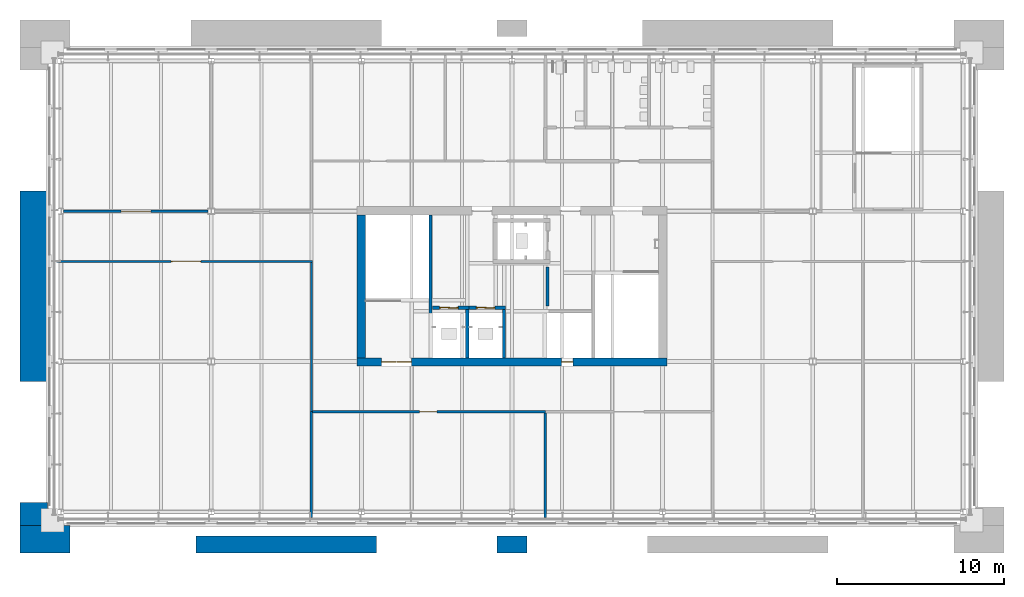
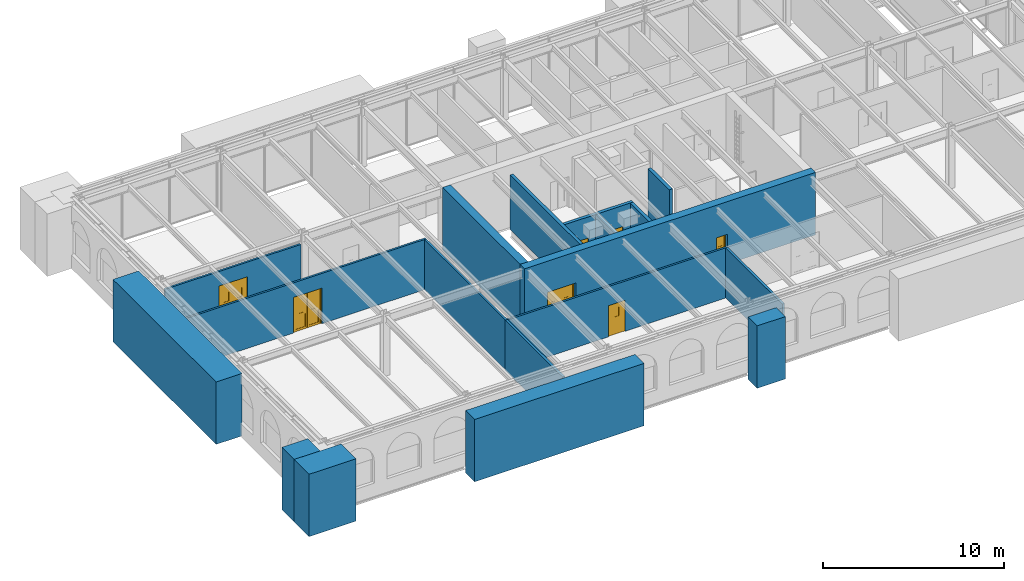
# One storey, part 12 of 24: 19 walls, 7 doors, 7 openings.
"""IFC4 building model written with IfcOpenShell, lengths in metres."""

import ifcopenshell
import ifcopenshell.guid

model = None  # the IFC model being written
_history = None  # IfcOwnerHistory: only IFC2X3 demands one
_inside = {}  # id of a spatial element -> (the spatial element, [elements in it])
_under = {}  # id of a project, library or spatial element -> (it, [spatial elements below it])
_declared = {}  # id of a project -> (the project, [libraries it declares])
_typed = {}  # id of a type object -> (the type object, [elements of that type])
_made_of = {}  # id of a material, layer set ... -> (it, [elements and type objects made of it])


def new_model(schema):
    """Start an empty IFC model of exactly this schema.

    Asked for "IFC4X3", IfcOpenShell would pick the latest addendum, in which some entities
    have other attributes; the version numbers below select the first issue.
    IFC2X3 requires an IfcOwnerHistory on every rooted entity: one is made here for all.
    """
    global model, _history
    if schema == "IFC4X3":
        model = ifcopenshell.file(schema_version=(4, 3, 0, 0))
    else:
        model = ifcopenshell.file(schema=schema)
    _inside.clear()
    _under.clear()
    _declared.clear()
    _typed.clear()
    _made_of.clear()
    _history = None
    if model.schema == "IFC2X3":
        org = make("IfcOrganization", Name="unknown")
        user = make(
            "IfcPersonAndOrganization",
            ThePerson=make("IfcPerson", FamilyName="unknown"),
            TheOrganization=org,
        )
        app = make(
            "IfcApplication",
            ApplicationDeveloper=org,
            Version="unknown",
            ApplicationFullName="unknown",
            ApplicationIdentifier="unknown",
        )
        _history = make(
            "IfcOwnerHistory",
            OwningUser=user,
            OwningApplication=app,
            ChangeAction="ADDED",
            CreationDate=0,
        )
    return model


def make(cls, **values):
    """One entity of the class cls with the attributes given. An attribute that is None is left unset."""
    return model.create_entity(
        cls, **{name: value for name, value in values.items() if value is not None}
    )


def rooted(cls, **values):
    """An entity with a GlobalId (a new one), such as an element, a storey or a relation."""
    return make(cls, GlobalId=ifcopenshell.guid.new(), OwnerHistory=_history, **values)


def si_unit(unit_type, name, prefix=None):
    """IfcSIUnit, for example si_unit("LENGTHUNIT", "METRE", prefix="MILLI")."""
    return make("IfcSIUnit", UnitType=unit_type, Prefix=prefix, Name=name)


def assignment(units):
    """IfcUnitAssignment: the units of a project."""
    return None if units is None else make("IfcUnitAssignment", Units=units)


def point(xyz):
    """IfcCartesianPoint."""
    return None if xyz is None else make("IfcCartesianPoint", Coordinates=xyz)


def direction(xyz):
    """IfcDirection."""
    return None if xyz is None else make("IfcDirection", DirectionRatios=xyz)


def frame(location, z_axis=None, x_axis=None):
    """IfcAxis2Placement3D, a coordinate frame: its origin and axes. An axis left out is left unset."""
    return make(
        "IfcAxis2Placement3D",
        Location=point(location),
        Axis=direction(z_axis),
        RefDirection=direction(x_axis),
    )


def frame_2d(location, x_axis=None):
    """IfcAxis2Placement2D, a coordinate frame in the plane: its origin and x axis."""
    return make(
        "IfcAxis2Placement2D", Location=point(location), RefDirection=direction(x_axis)
    )


def origin():
    """The frame at (0, 0, 0) with its axes left unset."""
    return frame((0.0, 0.0, 0.0))


def place(relative_to, where):
    """IfcLocalPlacement: puts the frame where relative to a parent placement (None: the world)."""
    return make(
        "IfcLocalPlacement", PlacementRelTo=relative_to, RelativePlacement=where
    )


def context(
    kind, dimensions, precision=None, world=None, true_north=None, identifier=None
):
    """IfcGeometricRepresentationContext, for example the 3D "Model" context."""
    return make(
        "IfcGeometricRepresentationContext",
        ContextIdentifier=identifier,
        ContextType=kind,
        CoordinateSpaceDimension=dimensions,
        Precision=precision,
        WorldCoordinateSystem=world,
        TrueNorth=true_north,
    )


def subcontext(parent, identifier, kind, view, scale=None):
    """IfcGeometricRepresentationSubContext, for example "Body" below "Model"."""
    return make(
        "IfcGeometricRepresentationSubContext",
        ContextIdentifier=identifier,
        ContextType=kind,
        ParentContext=parent,
        TargetScale=scale,
        TargetView=view,
    )


def project(units=None, contexts=None):
    """IfcProject with its units and contexts."""
    return rooted(
        "IfcProject",
        Name="project",
        RepresentationContexts=contexts,
        UnitsInContext=assignment(units),
    )


def spatial(cls, under=None, at=None, **own):
    """A site, building, storey or space (cls), placed at a placement, below another one or the project."""
    s = rooted(cls, ObjectPlacement=at, **own)
    if under is not None:
        _under.setdefault(under.id(), (under, []))[1].append(s)
    return s


def polyline(points):
    """IfcPolyline through the points."""
    return make("IfcPolyline", Points=[point(p) for p in points])


def profile(cls, at=None, kind="AREA", **sizes):
    """A parametric profile (cls). Its sizes go by their IFC names, for example OverallWidth=200.0."""
    return make(cls, ProfileType=kind, Position=at, **sizes)


def rectangle(**sizes):
    """IfcRectangleProfileDef."""
    return profile("IfcRectangleProfileDef", **sizes)


def outline(outer, holes=None, kind="AREA"):
    """IfcArbitraryClosedProfileDef: a profile drawn as a closed curve; with holes, ...WithVoids."""
    if holes is None:
        return make("IfcArbitraryClosedProfileDef", ProfileType=kind, OuterCurve=outer)
    return make(
        "IfcArbitraryProfileDefWithVoids",
        ProfileType=kind,
        OuterCurve=outer,
        InnerCurves=holes,
    )


def extrude(swept, where, along, depth):
    """IfcExtrudedAreaSolid: the profile swept, set in the frame where, extruded along a direction by depth."""
    return make(
        "IfcExtrudedAreaSolid",
        SweptArea=swept,
        Position=where,
        ExtrudedDirection=direction(along),
        Depth=depth,
    )


def shape(context_of_items, identifier, shape_type, items):
    """IfcShapeRepresentation: the items that make up one representation, for example the "Body"."""
    return make(
        "IfcShapeRepresentation",
        ContextOfItems=context_of_items,
        RepresentationIdentifier=identifier,
        RepresentationType=shape_type,
        Items=items,
    )


def material(Name=None, Category=None):
    """IfcMaterial."""
    return make("IfcMaterial", Name=Name, Category=Category)


def layer(
    of_material, thickness, ventilated=None, Name=None, Category=None, Priority=None
):
    """IfcMaterialLayer: one layer of a wall or slab, of a material (None: an air gap)."""
    return make(
        "IfcMaterialLayer",
        Material=of_material,
        LayerThickness=thickness,
        IsVentilated=ventilated,
        Name=Name,
        Category=Category,
        Priority=Priority,
    )


def layer_set(layers, Name=None):
    """IfcMaterialLayerSet."""
    return make("IfcMaterialLayerSet", MaterialLayers=layers, LayerSetName=Name)


def made_of(thing, what):
    """Note that an element or type object is made of a material, layer set ...; save() writes the relation."""
    if what is not None:
        _made_of.setdefault(what.id(), (what, []))[1].append(thing)
    return thing


def type_object(cls, material=None, **own):
    """A type object (cls), such as IfcWallType, which elements share."""
    return made_of(rooted(cls, **own), material)


def element(
    cls,
    number,
    at=None,
    inside=None,
    cuts=None,
    type_object=None,
    material=None,
    context=None,
    identifier="Body",
    shape_type=None,
    held_by="IfcProductDefinitionShape",
    body=None,
    shapes=None,
    **own,
):
    """One element of the class cls, such as IfcWall. Its Tag is "e" and its number.

    at: its placement. inside: the storey or other place that contains it. cuts: it is an
    opening in that element (IfcRelVoidsElement). A single representation is given by context,
    identifier, shape_type and body (its items); several are given by shapes. held_by: the class
    of the entity that holds the representations. save() writes the other relations.
    """
    e = rooted(cls, Tag="e%d" % number, ObjectPlacement=at, **own)
    if body is not None:
        shapes = [shape(context, identifier, shape_type, body)]
    if shapes is not None:
        e.Representation = make(held_by, Representations=shapes)
    if inside is not None:
        _inside.setdefault(inside.id(), (inside, []))[1].append(e)
    if cuts is not None:
        rooted(
            "IfcRelVoidsElement", RelatingBuildingElement=cuts, RelatedOpeningElement=e
        )
    if type_object is not None:
        _typed.setdefault(type_object.id(), (type_object, []))[1].append(e)
    return made_of(e, material)


def fill(opening, filler):
    """IfcRelFillsElement: the door or window that sits in an opening."""
    return rooted(
        "IfcRelFillsElement",
        RelatingOpeningElement=opening,
        RelatedBuildingElement=filler,
    )


def aggregate(whole, parts):
    """IfcRelAggregates: a whole, such as a stair, and the parts it consists of."""
    return rooted("IfcRelAggregates", RelatingObject=whole, RelatedObjects=parts)


def save(model, path):
    """Write the relations noted so far, then the file.

    IfcRelAggregates (storeys below a building ...), IfcRelContainedInSpatialStructure (elements
    in a storey), IfcRelDefinesByType, IfcRelAssociatesMaterial and IfcRelDeclares: one each for
    every whole, place, type object, material and project.
    """
    for whole, parts in _under.values():
        aggregate(whole, parts)
    for where, things in _inside.values():
        rooted(
            "IfcRelContainedInSpatialStructure",
            RelatedElements=things,
            RelatingStructure=where,
        )
    for kind, things in _typed.values():
        rooted("IfcRelDefinesByType", RelatedObjects=things, RelatingType=kind)
    for what, things in _made_of.values():
        rooted("IfcRelAssociatesMaterial", RelatedObjects=things, RelatingMaterial=what)
    for by, libraries in _declared.values():
        rooted("IfcRelDeclares", RelatingContext=by, RelatedDefinitions=libraries)
    model.write(path)


model = new_model("IFC4")

# Units and contexts
model_context = context("Model", 3, precision=1e-05, world=origin(), true_north=direction((0.0, 1.0)))
body_context = subcontext(model_context, "Body", "Model", "MODEL_VIEW")
ifc_project = project(units=[si_unit("LENGTHUNIT", "METRE"), si_unit("AREAUNIT", "SQUARE_METRE"), si_unit("VOLUMEUNIT", "CUBIC_METRE"), si_unit("PLANEANGLEUNIT", "RADIAN"), si_unit("MASSUNIT", "GRAM", prefix="KILO")], contexts=[model_context])

# Site, building, storey
site_placement = place(None, origin())
site = spatial("IfcSite", under=ifc_project, at=site_placement, CompositionType="ELEMENT")
building_placement = place(site_placement, origin())
building = spatial("IfcBuilding", under=site, at=building_placement, Name="Baradari Gate Terminus", CompositionType="ELEMENT")
storey_placement = place(building_placement, frame((0.0, 0.0, 32.699951171875)))
storey = spatial("IfcBuildingStorey", under=building, at=storey_placement, Name="L07", CompositionType="ELEMENT", Elevation=32.699951171875)

# Wall, opening, door
ifc_material_1 = material(Name="Gypsum board")
ifc_layer_1 = layer(ifc_material_1, 0.125)
ifc_layer_set_1 = layer_set([ifc_layer_1], Name="Gypsum board")
wall_type_1 = type_object("IfcWallType", Name="Corridor partition PT-5 125 EI 30", PredefinedType="PARTITIONING", material=ifc_layer_set_1)
wall_1_placement = place(storey_placement, frame((38.0, 123.0, 0.0), z_axis=(0.0, 0.0, 1.0), x_axis=(-1.0, 0.0, 0.0)))
wall_1 = element("IfcWall", 1, at=wall_1_placement, inside=storey, type_object=wall_type_1, Name="PT-5 partition Corridor / Staff Library", PredefinedType="PARTITIONING", context=body_context, shape_type="SweptSolid", body=[
    extrude(rectangle(XDim=13.925048828125, YDim=0.125, at=frame_2d((6.96240234375, 0.0))), origin(), (0.0, 0.0, 1.0), 3.382080078125),
])
opening_1_placement = place(wall_1_placement, frame((6.47509765625, 0.0, 0.0)))
opening_1 = element("IfcOpeningElement", 2, at=opening_1_placement, cuts=wall_1, Name="Opening D07-022", PredefinedType="OPENING", context=body_context, shape_type="SweptSolid", body=[
    extrude(rectangle(XDim=1.050048828125, YDim=2.10009765625, at=frame_2d((0.52490234375, 1.050048828125))), frame((0.0, 0.072509765625, 0.0), z_axis=(0.0, -1.0, 0.0), x_axis=(1.0, 0.0, 0.0)), (0.0, 0.0, 1.0), 0.14501953125),
])
ifc_material_2 = material(Name="Steel S275", Category="steel")
door_type_1 = type_object("IfcDoorType", Name="Fire door FI-1050-FD30S 1050x2100 FD30S", OperationType="SINGLE_SWING_LEFT", PredefinedType="DOOR", material=ifc_material_2)
door_1_placement = place(opening_1_placement, frame((1.050048828125, 0.0, 0.0), z_axis=(0.0, 0.0, 1.0), x_axis=(-1.0, 0.0, 0.0)))
door_1 = element("IfcDoor", 3, at=door_1_placement, inside=storey, type_object=door_type_1, Name="Door Staff Library", OperationType="SINGLE_SWING_LEFT", OverallHeight=2.1, OverallWidth=1.05, PredefinedType="DOOR", context=body_context, shape_type="SweptSolid", body=[
    extrude(outline(polyline([(0.0, 0.0), (0.070068359375, 0.0), (0.070068359375, 2.030029296875), (0.97998046875, 2.030029296875), (0.97998046875, 0.0), (1.050048828125, 0.0), (1.050048828125, 2.10009765625), (0.0, 2.10009765625), (0.0, 0.0)])), frame((0.0, 0.02490234375, 0.0), z_axis=(0.0, -1.0, 0.0), x_axis=(1.0, 0.0, 0.0)), (0.0, 0.0, 1.0), 0.050048828125),
    extrude(outline(polyline([(0.073974609375, 0.010009765625), (0.97607421875, 0.010009765625), (0.97607421875, 2.026123046875), (0.073974609375, 2.026123046875), (0.073974609375, 0.010009765625)]), holes=[polyline([(0.194091796875, 0.159912109375), (0.85595703125, 0.159912109375), (0.85595703125, 1.010009765625), (0.194091796875, 1.010009765625), (0.194091796875, 0.159912109375)]), polyline([(0.375, 1.159912109375), (0.675048828125, 1.159912109375), (0.675048828125, 1.760009765625), (0.375, 1.760009765625), (0.375, 1.159912109375)])]), frame((0.0, 0.017333984375, 0.0), z_axis=(0.0, -1.0, 0.0), x_axis=(1.0, 0.0, 0.0)), (0.0, 0.0, 1.0), 0.034912109375),
    extrude(rectangle(XDim=0.661865234375, YDim=0.85009765625, at=frame_2d((0.52490234375, 0.5849609375))), frame((0.0, 0.008544921875, 0.0), z_axis=(0.0, -1.0, 0.0), x_axis=(1.0, 0.0, 0.0)), (0.0, 0.0, 1.0), 0.017333984375),
    extrude(rectangle(XDim=0.300048828125, YDim=0.60009765625, at=frame_2d((0.52490234375, 1.4599609375))), frame((0.0, 0.005859375, 0.0), z_axis=(0.0, -1.0, 0.0), x_axis=(1.0, 0.0, 0.0)), (0.0, 0.0, 1.0), 0.011962890625),
])
fill(opening_1, door_1)

# Wall
wall_2_placement = place(storey_placement, frame((24.0, 123.0, 0.0), z_axis=(0.0, 0.0, 1.0), x_axis=(0.0, 1.0, 0.0)))
element("IfcWall", 4, at=wall_2_placement, inside=storey, type_object=wall_type_1, Name="PT-5 partition Corridor / Driving Simulator Room", PredefinedType="PARTITIONING", context=body_context, shape_type="SweptSolid", body=[
    extrude(rectangle(XDim=8.9375, YDim=0.125, at=frame_2d((4.46875, 0.0))), origin(), (0.0, 0.0, 1.0), 3.382080078125),
])

# Wall, opening, door
wall_3_placement = place(storey_placement, frame((24.0625, 132.0, 0.0), z_axis=(0.0, 0.0, 1.0), x_axis=(-1.0, 0.0, 0.0)))
wall_3 = element("IfcWall", 5, at=wall_3_placement, inside=storey, type_object=wall_type_1, Name="PT-5 partition Corridor / Driving Simulator Room", PredefinedType="PARTITIONING", context=body_context, shape_type="SweptSolid", body=[
    extrude(rectangle(XDim=15.33251953125, YDim=0.125, at=frame_2d((7.666259765625, 0.0))), origin(), (0.0, 0.0, 1.0), 3.382080078125),
])
opening_2_placement = place(wall_3_placement, frame((6.66259765625, 0.0, 0.0)))
opening_2 = element("IfcOpeningElement", 6, at=opening_2_placement, cuts=wall_3, Name="Opening D07-017", PredefinedType="OPENING", context=body_context, shape_type="SweptSolid", body=[
    extrude(rectangle(XDim=1.800048828125, YDim=2.39990234375, at=frame_2d((0.89990234375, 1.199951171875))), frame((0.0, 0.072509765625, 0.0), z_axis=(0.0, -1.0, 0.0), x_axis=(1.0, 0.0, 0.0)), (0.0, 0.0, 1.0), 0.14501953125),
])
ifc_material_3 = material(Name="Steel S275", Category="steel")
door_type_2 = type_object("IfcDoorType", Name="Fire door FI-1800x2400-FD30S 1800x2400 FD30S", OperationType="DOUBLE_DOOR_SINGLE_SWING", PredefinedType="DOOR", material=ifc_material_3)
door_2_placement = place(opening_2_placement, origin())
door_2 = element("IfcDoor", 7, at=door_2_placement, inside=storey, type_object=door_type_2, Name="Door Driving Simulator Room", OperationType="DOUBLE_DOOR_SINGLE_SWING", OverallHeight=2.4, OverallWidth=1.8, PredefinedType="DOOR", context=body_context, shape_type="SweptSolid", body=[
    extrude(outline(polyline([(0.0, 0.0), (0.070068359375, 0.0), (0.070068359375, 2.329833984375), (1.72998046875, 2.329833984375), (1.72998046875, 0.0), (1.800048828125, 0.0), (1.800048828125, 2.39990234375), (0.0, 2.39990234375), (0.0, 0.0)])), frame((0.0, 0.02490234375, 0.0), z_axis=(0.0, -1.0, 0.0), x_axis=(1.0, 0.0, 0.0)), (0.0, 0.0, 1.0), 0.050048828125),
    extrude(outline(polyline([(0.073974609375, 0.010009765625), (0.89697265625, 0.010009765625), (0.89697265625, 2.325927734375), (0.073974609375, 2.325927734375), (0.073974609375, 0.010009765625)]), holes=[polyline([(0.194091796875, 0.159912109375), (0.77685546875, 0.159912109375), (0.77685546875, 1.010009765625), (0.194091796875, 1.010009765625), (0.194091796875, 0.159912109375)]), polyline([(0.33544921875, 1.159912109375), (0.635498046875, 1.159912109375), (0.635498046875, 1.760009765625), (0.33544921875, 1.760009765625), (0.33544921875, 1.159912109375)])]), frame((0.0, 0.017333984375, 0.0), z_axis=(0.0, -1.0, 0.0), x_axis=(1.0, 0.0, 0.0)), (0.0, 0.0, 1.0), 0.034912109375),
    extrude(rectangle(XDim=0.582763671875, YDim=0.85009765625, at=frame_2d((0.4853515625, 0.5849609375))), frame((0.0, 0.008544921875, 0.0), z_axis=(0.0, -1.0, 0.0), x_axis=(1.0, 0.0, 0.0)), (0.0, 0.0, 1.0), 0.017333984375),
    extrude(rectangle(XDim=0.300048828125, YDim=0.60009765625, at=frame_2d((0.4853515625, 1.4599609375))), frame((0.0, 0.005859375, 0.0), z_axis=(0.0, -1.0, 0.0), x_axis=(1.0, 0.0, 0.0)), (0.0, 0.0, 1.0), 0.011962890625),
    extrude(outline(polyline([(0.903076171875, 0.010009765625), (1.72607421875, 0.010009765625), (1.72607421875, 2.325927734375), (0.903076171875, 2.325927734375), (0.903076171875, 0.010009765625)]), holes=[polyline([(1.023193359375, 0.159912109375), (1.60595703125, 0.159912109375), (1.60595703125, 1.010009765625), (1.023193359375, 1.010009765625), (1.023193359375, 0.159912109375)]), polyline([(1.16455078125, 1.159912109375), (1.464599609375, 1.159912109375), (1.464599609375, 1.760009765625), (1.16455078125, 1.760009765625), (1.16455078125, 1.159912109375)])]), frame((0.0, 0.017333984375, 0.0), z_axis=(0.0, -1.0, 0.0), x_axis=(1.0, 0.0, 0.0)), (0.0, 0.0, 1.0), 0.034912109375),
    extrude(rectangle(XDim=0.582763671875, YDim=0.85009765625, at=frame_2d((1.314453125, 0.5849609375))), frame((0.0, 0.008544921875, 0.0), z_axis=(0.0, -1.0, 0.0), x_axis=(1.0, 0.0, 0.0)), (0.0, 0.0, 1.0), 0.017333984375),
    extrude(rectangle(XDim=0.300048828125, YDim=0.60009765625, at=frame_2d((1.314453125, 1.4599609375))), frame((0.0, 0.005859375, 0.0), z_axis=(0.0, -1.0, 0.0), x_axis=(1.0, 0.0, 0.0)), (0.0, 0.0, 1.0), 0.011962890625),
])
fill(opening_2, door_2)

wall_4_placement = place(storey_placement, frame((9.1572265625, 135.0, 0.0), z_axis=(0.0, 0.0, 1.0), x_axis=(1.0, 0.0, 0.0)))
wall_4 = element("IfcWall", 8, at=wall_4_placement, inside=storey, type_object=wall_type_1, Name="PT-5 partition Corridor / Training Classroom 1", PredefinedType="PARTITIONING", context=body_context, shape_type="SweptSolid", body=[
    extrude(rectangle(XDim=8.645263671875, YDim=0.125, at=frame_2d((4.32275390625, 0.0))), origin(), (0.0, 0.0, 1.0), 3.382080078125),
])
opening_3_placement = place(wall_4_placement, frame((3.44287109375, 0.0, 0.0)))
opening_3 = element("IfcOpeningElement", 9, at=opening_3_placement, cuts=wall_4, Name="Opening D07-015", PredefinedType="OPENING", context=body_context, shape_type="SweptSolid", body=[
    extrude(rectangle(XDim=1.800048828125, YDim=2.39990234375, at=frame_2d((0.89990234375, 1.199951171875))), frame((0.0, 0.072509765625, 0.0), z_axis=(0.0, -1.0, 0.0), x_axis=(1.0, 0.0, 0.0)), (0.0, 0.0, 1.0), 0.14501953125),
])
door_3_placement = place(opening_3_placement, frame((1.800048828125, 0.0, 0.0), z_axis=(0.0, 0.0, 1.0), x_axis=(-1.0, 0.0, 0.0)))
door_3 = element("IfcDoor", 10, at=door_3_placement, inside=storey, type_object=door_type_2, Name="Door Training Classroom 1", OperationType="DOUBLE_DOOR_SINGLE_SWING", OverallHeight=2.4, OverallWidth=1.8, PredefinedType="DOOR", context=body_context, shape_type="SweptSolid", body=[
    extrude(outline(polyline([(0.0, 0.0), (0.070068359375, 0.0), (0.070068359375, 2.329833984375), (1.72998046875, 2.329833984375), (1.72998046875, 0.0), (1.800048828125, 0.0), (1.800048828125, 2.39990234375), (0.0, 2.39990234375), (0.0, 0.0)])), frame((0.0, 0.02490234375, 0.0), z_axis=(0.0, -1.0, 0.0), x_axis=(1.0, 0.0, 0.0)), (0.0, 0.0, 1.0), 0.050048828125),
    extrude(outline(polyline([(0.073974609375, 0.010009765625), (0.89697265625, 0.010009765625), (0.89697265625, 2.325927734375), (0.073974609375, 2.325927734375), (0.073974609375, 0.010009765625)]), holes=[polyline([(0.194091796875, 0.159912109375), (0.77685546875, 0.159912109375), (0.77685546875, 1.010009765625), (0.194091796875, 1.010009765625), (0.194091796875, 0.159912109375)]), polyline([(0.33544921875, 1.159912109375), (0.635498046875, 1.159912109375), (0.635498046875, 1.760009765625), (0.33544921875, 1.760009765625), (0.33544921875, 1.159912109375)])]), frame((0.0, 0.017333984375, 0.0), z_axis=(0.0, -1.0, 0.0), x_axis=(1.0, 0.0, 0.0)), (0.0, 0.0, 1.0), 0.034912109375),
    extrude(rectangle(XDim=0.582763671875, YDim=0.85009765625, at=frame_2d((0.4853515625, 0.5849609375))), frame((0.0, 0.008544921875, 0.0), z_axis=(0.0, -1.0, 0.0), x_axis=(1.0, 0.0, 0.0)), (0.0, 0.0, 1.0), 0.017333984375),
    extrude(rectangle(XDim=0.300048828125, YDim=0.60009765625, at=frame_2d((0.4853515625, 1.4599609375))), frame((0.0, 0.005859375, 0.0), z_axis=(0.0, -1.0, 0.0), x_axis=(1.0, 0.0, 0.0)), (0.0, 0.0, 1.0), 0.011962890625),
    extrude(outline(polyline([(0.903076171875, 0.010009765625), (1.72607421875, 0.010009765625), (1.72607421875, 2.325927734375), (0.903076171875, 2.325927734375), (0.903076171875, 0.010009765625)]), holes=[polyline([(1.023193359375, 0.159912109375), (1.60595703125, 0.159912109375), (1.60595703125, 1.010009765625), (1.023193359375, 1.010009765625), (1.023193359375, 0.159912109375)]), polyline([(1.16455078125, 1.159912109375), (1.464599609375, 1.159912109375), (1.464599609375, 1.760009765625), (1.16455078125, 1.760009765625), (1.16455078125, 1.159912109375)])]), frame((0.0, 0.017333984375, 0.0), z_axis=(0.0, -1.0, 0.0), x_axis=(1.0, 0.0, 0.0)), (0.0, 0.0, 1.0), 0.034912109375),
    extrude(rectangle(XDim=0.582763671875, YDim=0.85009765625, at=frame_2d((1.314453125, 0.5849609375))), frame((0.0, 0.008544921875, 0.0), z_axis=(0.0, -1.0, 0.0), x_axis=(1.0, 0.0, 0.0)), (0.0, 0.0, 1.0), 0.017333984375),
    extrude(rectangle(XDim=0.300048828125, YDim=0.60009765625, at=frame_2d((1.314453125, 1.4599609375))), frame((0.0, 0.005859375, 0.0), z_axis=(0.0, -1.0, 0.0), x_axis=(1.0, 0.0, 0.0)), (0.0, 0.0, 1.0), 0.011962890625),
])
fill(opening_3, door_3)

ifc_material_4 = material(Name="Blockwork wall, fire rated", Category="masonry")
ifc_layer_2 = layer(ifc_material_4, 0.199951171875)
ifc_layer_set_2 = layer_set([ifc_layer_2], Name="Blockwork wall, fire rated")
wall_type_2 = type_object("IfcWallType", Name="Lift shaft wall SH-1 200 EI 120", PredefinedType="SOLIDWALL", material=ifc_layer_set_2)
wall_5_placement = place(storey_placement, frame((31.22705078125, 129.22509765625, 0.0), z_axis=(0.0, 0.0, 1.0), x_axis=(1.0, 0.0, 0.0)))
wall_5 = element("IfcWall", 11, at=wall_5_placement, inside=storey, type_object=wall_type_2, Name="Lift shaft wall LT1 L07 N", PredefinedType="SOLIDWALL", context=body_context, shape_type="SweptSolid", body=[
    extrude(rectangle(XDim=2.197998046875, YDim=0.199951171875, at=frame_2d((1.09912109375, 0.0))), origin(), (0.0, 0.0, 1.0), 3.525146484375),
])
opening_4_placement = place(wall_5_placement, frame((0.447998046875, 0.0, 0.0)))
opening_4 = element("IfcOpeningElement", 12, at=opening_4_placement, cuts=wall_5, Name="Opening D07-001", PredefinedType="OPENING", context=body_context, shape_type="SweptSolid", body=[
    extrude(rectangle(XDim=1.10009765625, YDim=2.10009765625, at=frame_2d((0.550048828125, 1.050048828125))), frame((0.0, 0.10986328125, 0.0), z_axis=(0.0, -1.0, 0.0), x_axis=(1.0, 0.0, 0.0)), (0.0, 0.0, 1.0), 0.219970703125),
])
ifc_material_5 = material(Name="Stainless steel 1.4301", Category="steel")
door_type_3 = type_object("IfcDoorType", Name="Lift landing door LD 1100x2100 E 120", OperationType="SLIDING_TO_LEFT", PredefinedType="DOOR", material=ifc_material_5)
door_4_placement = place(opening_4_placement, origin())
door_4 = element("IfcDoor", 13, at=door_4_placement, inside=storey, type_object=door_type_3, Name="Lift landing door LT1 L07", OperationType="SLIDING_TO_LEFT", OverallHeight=2.1, OverallWidth=1.1, PredefinedType="DOOR", context=body_context, shape_type="SweptSolid", body=[
    extrude(outline(polyline([(0.0, 0.0), (0.070068359375, 0.0), (0.070068359375, 2.030029296875), (1.030029296875, 2.030029296875), (1.030029296875, 0.0), (1.10009765625, 0.0), (1.10009765625, 2.10009765625), (0.0, 2.10009765625), (0.0, 0.0)])), frame((0.0, 0.02490234375, 0.0), z_axis=(0.0, -1.0, 0.0), x_axis=(1.0, 0.0, 0.0)), (0.0, 0.0, 1.0), 0.050048828125),
    extrude(rectangle(XDim=0.523681640625, YDim=2.01611328125, at=frame_2d((0.3359375, 1.01806640625))), frame((0.0, 0.017822265625, 0.0), z_axis=(0.0, -1.0, 0.0), x_axis=(1.0, 0.0, 0.0)), (0.0, 0.0, 1.0), 0.015869140625),
    extrude(rectangle(XDim=0.519775390625, YDim=2.01611328125, at=frame_2d((0.76611328125, 1.01806640625))), frame((0.0, -0.002197265625, 0.0), z_axis=(0.0, -1.0, 0.0), x_axis=(1.0, 0.0, 0.0)), (0.0, 0.0, 1.0), 0.015869140625),
])
fill(opening_4, door_4)

# Wall
wall_6_placement = place(storey_placement, frame((33.324951171875, 126.22705078125, 0.0), z_axis=(0.0, 0.0, 1.0), x_axis=(0.0, 1.0, 0.0)))
element("IfcWall", 14, at=wall_6_placement, inside=storey, type_object=wall_type_2, Name="Lift shaft wall LT1 L07 E", PredefinedType="SOLIDWALL", context=body_context, shape_type="SweptSolid", body=[
    extrude(rectangle(XDim=2.89794921875, YDim=0.199951171875, at=frame_2d((1.448974609375, 0.0))), origin(), (0.0, 0.0, 1.0), 3.525146484375),
])

# Wall, opening, door
wall_7_placement = place(storey_placement, frame((33.427001953125, 129.22509765625, 0.0), z_axis=(0.0, 0.0, 1.0), x_axis=(1.0, 0.0, 0.0)))
wall_7 = element("IfcWall", 15, at=wall_7_placement, inside=storey, type_object=wall_type_2, Name="Lift shaft wall LT2 L07 N", PredefinedType="SOLIDWALL", context=body_context, shape_type="SweptSolid", body=[
    extrude(rectangle(XDim=2.197998046875, YDim=0.199951171875, at=frame_2d((1.09912109375, 0.0))), origin(), (0.0, 0.0, 1.0), 3.525146484375),
])
opening_5_placement = place(wall_7_placement, frame((0.447998046875, 0.0, 0.0)))
opening_5 = element("IfcOpeningElement", 16, at=opening_5_placement, cuts=wall_7, Name="Opening D07-002", PredefinedType="OPENING", context=body_context, shape_type="SweptSolid", body=[
    extrude(rectangle(XDim=1.10009765625, YDim=2.10009765625, at=frame_2d((0.550048828125, 1.050048828125))), frame((0.0, 0.10986328125, 0.0), z_axis=(0.0, -1.0, 0.0), x_axis=(1.0, 0.0, 0.0)), (0.0, 0.0, 1.0), 0.219970703125),
])
door_5_placement = place(opening_5_placement, origin())
door_5 = element("IfcDoor", 17, at=door_5_placement, inside=storey, type_object=door_type_3, Name="Lift landing door LT2 L07", OperationType="SLIDING_TO_LEFT", OverallHeight=2.1, OverallWidth=1.1, PredefinedType="DOOR", context=body_context, shape_type="SweptSolid", body=[
    extrude(outline(polyline([(0.0, 0.0), (0.070068359375, 0.0), (0.070068359375, 2.030029296875), (1.030029296875, 2.030029296875), (1.030029296875, 0.0), (1.10009765625, 0.0), (1.10009765625, 2.10009765625), (0.0, 2.10009765625), (0.0, 0.0)])), frame((0.0, 0.02490234375, 0.0), z_axis=(0.0, -1.0, 0.0), x_axis=(1.0, 0.0, 0.0)), (0.0, 0.0, 1.0), 0.050048828125),
    extrude(rectangle(XDim=0.523681640625, YDim=2.01611328125, at=frame_2d((0.3359375, 1.01806640625))), frame((0.0, 0.017822265625, 0.0), z_axis=(0.0, -1.0, 0.0), x_axis=(1.0, 0.0, 0.0)), (0.0, 0.0, 1.0), 0.015869140625),
    extrude(rectangle(XDim=0.519775390625, YDim=2.01611328125, at=frame_2d((0.76611328125, 1.01806640625))), frame((0.0, -0.002197265625, 0.0), z_axis=(0.0, -1.0, 0.0), x_axis=(1.0, 0.0, 0.0)), (0.0, 0.0, 1.0), 0.015869140625),
])
fill(opening_5, door_5)

# Walls
wall_8_placement = place(storey_placement, frame((35.52490234375, 126.22705078125, 0.0), z_axis=(0.0, 0.0, 1.0), x_axis=(0.0, 1.0, 0.0)))
element("IfcWall", 18, at=wall_8_placement, inside=storey, type_object=wall_type_2, Name="Lift shaft wall LT2 L07 E", PredefinedType="SOLIDWALL", context=body_context, shape_type="SweptSolid", body=[
    extrude(rectangle(XDim=2.89794921875, YDim=0.199951171875, at=frame_2d((1.448974609375, 0.0))), origin(), (0.0, 0.0, 1.0), 3.525146484375),
])
ifc_material_6 = material(Name="Blockwork wall, plastered, fire rated", Category="masonry")
ifc_layer_3 = layer(ifc_material_6, 0.199951171875)
ifc_layer_set_3 = layer_set([ifc_layer_3], Name="Blockwork wall, plastered, fire rated")
wall_type_3 = type_object("IfcWallType", Name="Lobby partition PT-4 200 EI 60", PredefinedType="PARTITIONING", material=ifc_layer_set_3)
wall_9_placement = place(storey_placement, frame((38.125, 131.675048828125, 0.0), z_axis=(0.0, 0.0, 1.0), x_axis=(0.0, -1.0, 0.0)))
element("IfcWall", 19, at=wall_9_placement, inside=storey, type_object=wall_type_3, Name="PT-4 partition Lift Lobby / Lift Lobby (Fire-fighting)", PredefinedType="PARTITIONING", context=body_context, shape_type="SweptSolid", body=[
    extrude(rectangle(XDim=2.35009765625, YDim=0.199951171875, at=frame_2d((1.175048828125, 0.0))), origin(), (0.0, 0.0, 1.0), 3.382080078125),
])

# Wall, openings, doors
ifc_material_7 = material(Name="Concrete C40/50", Category="concrete")
ifc_layer_4 = layer(ifc_material_7, 0.5)
ifc_layer_set_4 = layer_set([ifc_layer_4], Name="Concrete C40/50")
wall_type_4 = type_object("IfcWallType", Name="Operations block core wall CWL02 500", PredefinedType="SOLIDWALL", material=ifc_layer_set_4)
wall_10_placement = place(storey_placement, frame((26.72509765625, 125.97509765625, 0.0), z_axis=(0.0, 0.0, 1.0), x_axis=(1.0, 0.0, 0.0)))
wall_10 = element("IfcWall", 20, at=wall_10_placement, inside=storey, type_object=wall_type_4, Name="Operations block core wall CT S L07", PredefinedType="SOLIDWALL", context=body_context, shape_type="SweptSolid", body=[
    extrude(rectangle(XDim=18.5498046875, YDim=0.5, at=frame_2d((9.27490234375, 0.0))), origin(), (0.0, 0.0, 1.0), 4.199951171875),
])
opening_6_placement = place(wall_10_placement, frame((1.47509765625, 0.0, 0.0)))
opening_6 = element("IfcOpeningElement", 21, at=opening_6_placement, cuts=wall_10, Name="Opening D07-004", PredefinedType="OPENING", context=body_context, shape_type="SweptSolid", body=[
    extrude(rectangle(XDim=1.800048828125, YDim=2.10009765625, at=frame_2d((0.89990234375, 1.050048828125))), frame((0.0, 0.260009765625, 0.0), z_axis=(0.0, -1.0, 0.0), x_axis=(1.0, 0.0, 0.0)), (0.0, 0.0, 1.0), 0.52001953125),
])
opening_7_placement = place(wall_10_placement, frame((12.22509765625, 0.0, 0.0)))
opening_7 = element("IfcOpeningElement", 22, at=opening_7_placement, cuts=wall_10, Name="Opening D07-008", PredefinedType="OPENING", context=body_context, shape_type="SweptSolid", body=[
    extrude(rectangle(XDim=0.699951171875, YDim=2.0, at=frame_2d((0.35009765625, 1.0))), frame((0.0, 0.260009765625, 0.0), z_axis=(0.0, -1.0, 0.0), x_axis=(1.0, 0.0, 0.0)), (0.0, 0.0, 1.0), 0.52001953125),
])
ifc_material_8 = material(Name="Steel S275", Category="steel")
door_type_4 = type_object("IfcDoorType", Name="Fire door FI-1800-FD90S 1800x2100 FD90S", OperationType="DOUBLE_DOOR_SINGLE_SWING", PredefinedType="DOOR", material=ifc_material_8)
door_6_placement = place(opening_6_placement, origin())
door_6 = element("IfcDoor", 23, at=door_6_placement, inside=storey, type_object=door_type_4, Name="Door Stair (Core) 1", OperationType="DOUBLE_DOOR_SINGLE_SWING", OverallHeight=2.1, OverallWidth=1.8, PredefinedType="DOOR", context=body_context, shape_type="SweptSolid", body=[
    extrude(outline(polyline([(0.0, 0.0), (0.070068359375, 0.0), (0.070068359375, 2.030029296875), (1.72998046875, 2.030029296875), (1.72998046875, 0.0), (1.800048828125, 0.0), (1.800048828125, 2.10009765625), (0.0, 2.10009765625), (0.0, 0.0)])), frame((0.0, 0.02490234375, 0.0), z_axis=(0.0, -1.0, 0.0), x_axis=(1.0, 0.0, 0.0)), (0.0, 0.0, 1.0), 0.050048828125),
    extrude(outline(polyline([(0.073974609375, 0.010009765625), (0.89697265625, 0.010009765625), (0.89697265625, 2.026123046875), (0.073974609375, 2.026123046875), (0.073974609375, 0.010009765625)]), holes=[polyline([(0.194091796875, 0.159912109375), (0.77685546875, 0.159912109375), (0.77685546875, 1.010009765625), (0.194091796875, 1.010009765625), (0.194091796875, 0.159912109375)]), polyline([(0.33544921875, 1.159912109375), (0.635498046875, 1.159912109375), (0.635498046875, 1.760009765625), (0.33544921875, 1.760009765625), (0.33544921875, 1.159912109375)])]), frame((0.0, 0.017333984375, 0.0), z_axis=(0.0, -1.0, 0.0), x_axis=(1.0, 0.0, 0.0)), (0.0, 0.0, 1.0), 0.034912109375),
    extrude(rectangle(XDim=0.582763671875, YDim=0.85009765625, at=frame_2d((0.4853515625, 0.5849609375))), frame((0.0, 0.008544921875, 0.0), z_axis=(0.0, -1.0, 0.0), x_axis=(1.0, 0.0, 0.0)), (0.0, 0.0, 1.0), 0.017333984375),
    extrude(rectangle(XDim=0.300048828125, YDim=0.60009765625, at=frame_2d((0.4853515625, 1.4599609375))), frame((0.0, 0.005859375, 0.0), z_axis=(0.0, -1.0, 0.0), x_axis=(1.0, 0.0, 0.0)), (0.0, 0.0, 1.0), 0.011962890625),
    extrude(outline(polyline([(0.903076171875, 0.010009765625), (1.72607421875, 0.010009765625), (1.72607421875, 2.026123046875), (0.903076171875, 2.026123046875), (0.903076171875, 0.010009765625)]), holes=[polyline([(1.023193359375, 0.159912109375), (1.60595703125, 0.159912109375), (1.60595703125, 1.010009765625), (1.023193359375, 1.010009765625), (1.023193359375, 0.159912109375)]), polyline([(1.16455078125, 1.159912109375), (1.464599609375, 1.159912109375), (1.464599609375, 1.760009765625), (1.16455078125, 1.760009765625), (1.16455078125, 1.159912109375)])]), frame((0.0, 0.017333984375, 0.0), z_axis=(0.0, -1.0, 0.0), x_axis=(1.0, 0.0, 0.0)), (0.0, 0.0, 1.0), 0.034912109375),
    extrude(rectangle(XDim=0.582763671875, YDim=0.85009765625, at=frame_2d((1.314453125, 0.5849609375))), frame((0.0, 0.008544921875, 0.0), z_axis=(0.0, -1.0, 0.0), x_axis=(1.0, 0.0, 0.0)), (0.0, 0.0, 1.0), 0.017333984375),
    extrude(rectangle(XDim=0.300048828125, YDim=0.60009765625, at=frame_2d((1.314453125, 1.4599609375))), frame((0.0, 0.005859375, 0.0), z_axis=(0.0, -1.0, 0.0), x_axis=(1.0, 0.0, 0.0)), (0.0, 0.0, 1.0), 0.011962890625),
])
fill(opening_6, door_6)
ifc_material_9 = material(Name="Steel S275", Category="steel")
door_type_5 = type_object("IfcDoorType", Name="Fire door FI-700x2000-FD90S 700x2000 FD90S", OperationType="SINGLE_SWING_LEFT", PredefinedType="DOOR", material=ifc_material_9)
door_7_placement = place(opening_7_placement, origin())
door_7 = element("IfcDoor", 24, at=door_7_placement, inside=storey, type_object=door_type_5, Name="Door Riser", OperationType="SINGLE_SWING_RIGHT", OverallHeight=2.0, OverallWidth=0.7, PredefinedType="DOOR", context=body_context, shape_type="SweptSolid", body=[
    extrude(outline(polyline([(0.0, 0.0), (0.070068359375, 0.0), (0.070068359375, 1.929931640625), (0.6298828125, 1.929931640625), (0.6298828125, 0.0), (0.699951171875, 0.0), (0.699951171875, 2.0), (0.0, 2.0), (0.0, 0.0)])), frame((0.0, 0.02490234375, 0.0), z_axis=(0.0, -1.0, 0.0), x_axis=(1.0, 0.0, 0.0)), (0.0, 0.0, 1.0), 0.050048828125),
    extrude(outline(polyline([(0.073974609375, 0.010009765625), (0.6259765625, 0.010009765625), (0.6259765625, 1.926025390625), (0.073974609375, 1.926025390625), (0.073974609375, 0.010009765625)]), holes=[polyline([(0.184326171875, 0.159912109375), (0.515625, 0.159912109375), (0.515625, 1.010009765625), (0.184326171875, 1.010009765625), (0.184326171875, 0.159912109375)]), polyline([(0.199951171875, 1.159912109375), (0.5, 1.159912109375), (0.5, 1.760009765625), (0.199951171875, 1.760009765625), (0.199951171875, 1.159912109375)])]), frame((0.0, 0.017333984375, 0.0), z_axis=(0.0, -1.0, 0.0), x_axis=(1.0, 0.0, 0.0)), (0.0, 0.0, 1.0), 0.034912109375),
    extrude(rectangle(XDim=0.331298828125, YDim=0.85009765625, at=frame_2d((0.35009765625, 0.5849609375))), frame((0.0, 0.008544921875, 0.0), z_axis=(0.0, -1.0, 0.0), x_axis=(1.0, 0.0, 0.0)), (0.0, 0.0, 1.0), 0.017333984375),
    extrude(rectangle(XDim=0.300048828125, YDim=0.60009765625, at=frame_2d((0.35009765625, 1.4599609375))), frame((0.0, 0.005859375, 0.0), z_axis=(0.0, -1.0, 0.0), x_axis=(1.0, 0.0, 0.0)), (0.0, 0.0, 1.0), 0.011962890625),
])
fill(opening_7, door_7)

# Walls
wall_11_placement = place(storey_placement, frame((26.97509765625, 126.22509765625, 0.0), z_axis=(0.0, 0.0, 1.0), x_axis=(0.0, 1.0, 0.0)))
element("IfcWall", 25, at=wall_11_placement, inside=storey, type_object=wall_type_4, Name="Operations block core wall CT W L07", PredefinedType="SOLIDWALL", context=body_context, shape_type="SweptSolid", body=[
    extrude(rectangle(XDim=8.5498046875, YDim=0.5, at=frame_2d((4.27490234375, 0.0))), origin(), (0.0, 0.0, 1.0), 4.199951171875),
])
ifc_material_10 = material(Name="Blockwork wall, plastered", Category="masonry")
ifc_layer_5 = layer(ifc_material_10, 0.14990234375)
ifc_layer_set_5 = layer_set([ifc_layer_5], Name="Blockwork wall, plastered")
wall_type_5 = type_object("IfcWallType", Name="Partition PT-2 150 EI 60", PredefinedType="PARTITIONING", material=ifc_layer_set_5)
wall_12_placement = place(storey_placement, frame((24.0, 123.0, 0.0), z_axis=(0.0, 0.0, 1.0), x_axis=(0.0, -1.0, 0.0)))
element("IfcWall", 26, at=wall_12_placement, inside=storey, type_object=wall_type_5, Name="PT-2 partition Driving Simulator Room / Staff Library", PredefinedType="PARTITIONING", context=body_context, shape_type="SweptSolid", body=[
    extrude(rectangle(XDim=6.31494140625, YDim=0.14990234375, at=frame_2d((3.157470703125, 0.0))), origin(), (0.0, 0.0, 1.0), 3.382080078125),
])
wall_13_placement = place(storey_placement, frame((38.0, 122.9375, 0.0), z_axis=(0.0, 0.0, 1.0), x_axis=(0.0, -1.0, 0.0)))
element("IfcWall", 27, at=wall_13_placement, inside=storey, type_object=wall_type_5, Name="PT-2 partition Staff Library / Training Classroom 2", PredefinedType="PARTITIONING", context=body_context, shape_type="SweptSolid", body=[
    extrude(rectangle(XDim=6.25244140625, YDim=0.14990234375, at=frame_2d((3.126220703125, 0.0))), origin(), (0.0, 0.0, 1.0), 3.382080078125),
])
ifc_material_11 = material(Name="Concrete C40/50 precast", Category="concrete")
ifc_layer_6 = layer(ifc_material_11, 1.55)
ifc_material_12 = material(Name="Sandstone cladding", Category="masonry")
ifc_layer_7 = layer(ifc_material_12, 0.1)
ifc_layer_set_6 = layer_set([ifc_layer_6, ifc_layer_7], Name="Concrete C40/50 precast")
wall_type_6 = type_object("IfcWallType", Name="Sandstone-faced precast frame pier WQ-4 1650", PredefinedType="SOLIDWALL", material=ifc_layer_set_6)
wall_14_placement = place(storey_placement, frame((7.3798828125, 124.800048828125, 0.0), z_axis=(0.0, 0.0, 1.0), x_axis=(0.0, 1.0, 0.0)))
element("IfcWall", 28, at=wall_14_placement, inside=storey, type_object=wall_type_6, Name="Frame portal wall W face bay 1 1", PredefinedType="SOLIDWALL", context=body_context, shape_type="SweptSolid", body=[
    extrude(outline(polyline([(11.39990234375, 0.0), (11.39990234375, 4.199951171875), (0.0, 4.199951171875), (0.0, 0.0), (11.39990234375, 0.0)])), frame((0.0, 0.824951171875, 0.0), z_axis=(0.0, -1.0, 0.0), x_axis=(1.0, 0.0, 0.0)), (0.0, 0.0, 1.0), 1.64990234375),
])
wall_15_placement = place(storey_placement, frame((6.554931640625, 115.3798828125, 0.0), z_axis=(0.0, 0.0, 1.0), x_axis=(1.0, 0.0, 0.0)))
element("IfcWall", 29, at=wall_15_placement, inside=storey, type_object=wall_type_6, Name="Corner pilaster SW leg A L07", PredefinedType="SOLIDWALL", context=body_context, shape_type="SweptSolid", body=[
    extrude(rectangle(XDim=3.0, YDim=1.64990234375, at=frame_2d((1.5, 0.0))), origin(), (0.0, 0.0, 1.0), 4.199951171875),
])
wall_16_placement = place(storey_placement, frame((7.3798828125, 116.205078125, 0.0), z_axis=(0.0, 0.0, 1.0), x_axis=(0.0, 1.0, 0.0)))
element("IfcWall", 30, at=wall_16_placement, inside=storey, type_object=wall_type_6, Name="Corner pilaster SW leg B L07", PredefinedType="SOLIDWALL", context=body_context, shape_type="SweptSolid", body=[
    extrude(rectangle(XDim=1.349853515625, YDim=1.64990234375, at=frame_2d((0.6748046875, 0.0))), origin(), (0.0, 0.0, 1.0), 4.199951171875),
])
ifc_layer_8 = layer(ifc_material_11, 0.9)
ifc_layer_9 = layer(ifc_material_12, 0.1)
ifc_layer_set_7 = layer_set([ifc_layer_8, ifc_layer_9], Name="Concrete C40/50 precast")
wall_type_7 = type_object("IfcWallType", Name="Sandstone-faced precast grid pier WQ-6 1000", PredefinedType="SOLIDWALL", material=ifc_layer_set_7)
wall_17_placement = place(storey_placement, frame((17.10009765625, 115.054931640625, 0.0), z_axis=(0.0, 0.0, 1.0), x_axis=(1.0, 0.0, 0.0)))
element("IfcWall", 31, at=wall_17_placement, inside=storey, type_object=wall_type_7, Name="Frame portal wall S face bay 1 1", PredefinedType="SOLIDWALL", context=body_context, shape_type="SweptSolid", body=[
    extrude(outline(polyline([(10.800048828125, 0.0), (10.800048828125, 4.199951171875), (0.0, 4.199951171875), (0.0, 0.0), (10.800048828125, 0.0)])), frame((0.0, 0.5, 0.0), z_axis=(0.0, -1.0, 0.0), x_axis=(1.0, 0.0, 0.0)), (0.0, 0.0, 1.0), 1.0),
])
wall_18_placement = place(storey_placement, frame((35.10009765625, 115.054931640625, 0.0), z_axis=(0.0, 0.0, 1.0), x_axis=(1.0, 0.0, 0.0)))
element("IfcWall", 32, at=wall_18_placement, inside=storey, type_object=wall_type_7, Name="Grid pier S face grid 36 L07", PredefinedType="SOLIDWALL", context=body_context, shape_type="SweptSolid", body=[
    extrude(rectangle(XDim=1.7998046875, YDim=1.0, at=frame_2d((0.89990234375, 0.0))), origin(), (0.0, 0.0, 1.0), 4.199951171875),
])
ifc_material_13 = material(Name="Concrete C40/50", Category="concrete")
ifc_layer_10 = layer(ifc_material_13, 0.199951171875)
ifc_layer_set_8 = layer_set([ifc_layer_10], Name="Concrete C40/50")
wall_type_8 = type_object("IfcWallType", Name="Stair enclosure wall SE-1 200 EI 120", PredefinedType="SOLIDWALL", material=ifc_layer_set_8)
wall_19_placement = place(storey_placement, frame((31.125, 126.22705078125, -0.1298828125), z_axis=(0.0, 0.0, 1.0), x_axis=(0.0, 1.0, 0.0)))
element("IfcWall", 33, at=wall_19_placement, inside=storey, type_object=wall_type_8, Name="Stair enclosure wall SE-1 ST-T1 L07 E", PredefinedType="SOLIDWALL", context=body_context, shape_type="SweptSolid", body=[
    extrude(rectangle(XDim=8.5458984375, YDim=0.199951171875, at=frame_2d((4.27294921875, 0.0))), origin(), (0.0, 0.0, 1.0), 3.666015625),
])

save(model, "model.ifc")
